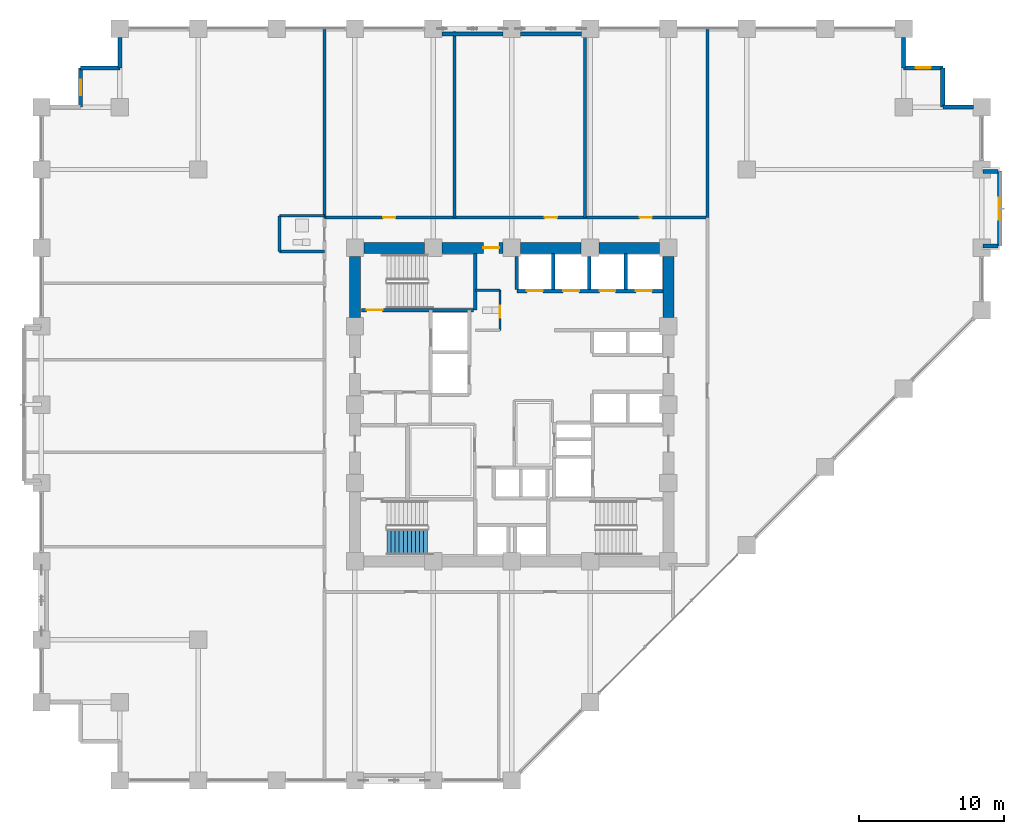
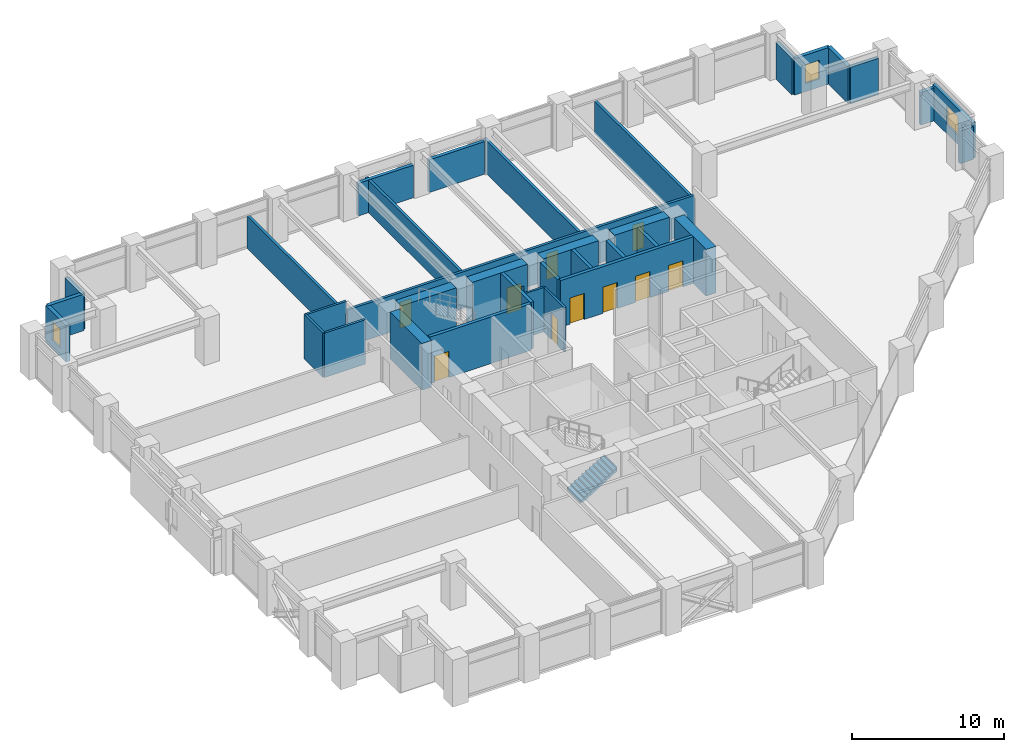
# One storey, part 21 of 26: 35 walls, 10 doors, 3 windows, 1 stair flight, 13 openings, 1 element without a shape of its own.
"""IFC4 building model written with IfcOpenShell, lengths in metres."""

from ifc_helpers import new_model, si_unit, direction, frame, frame_2d, origin, place, context, subcontext, project, spatial, polyline, rectangle, outline, extrude, material, layer, layer_set, type_object, element, fill, aggregate, save


model = new_model("IFC4")

# Units and contexts
model_context = context("Model", 3, precision=1e-05, world=origin(), true_north=direction((0.0, 1.0)))
body_context = subcontext(model_context, "Body", "Model", "MODEL_VIEW")
ifc_project = project(units=[si_unit("LENGTHUNIT", "METRE"), si_unit("AREAUNIT", "SQUARE_METRE"), si_unit("VOLUMEUNIT", "CUBIC_METRE"), si_unit("PLANEANGLEUNIT", "RADIAN"), si_unit("MASSUNIT", "GRAM", prefix="KILO")], contexts=[model_context])

# Site, building, storey
site_placement = place(None, origin())
site = spatial("IfcSite", under=ifc_project, at=site_placement, CompositionType="ELEMENT")
building_placement = place(site_placement, origin())
building = spatial("IfcBuilding", under=site, at=building_placement, Name="Surkhivell Harbour Commons", CompositionType="ELEMENT")
storey_placement = place(building_placement, frame((0.0, 0.0, 60.0)))
storey = spatial("IfcBuildingStorey", under=building, at=storey_placement, Name="L15", CompositionType="ELEMENT", Elevation=60.0)

# Wall
ifc_material_1 = material(Name="Concrete C60/75", Category="concrete")
ifc_layer_1 = layer(ifc_material_1, 0.75)
ifc_layer_set_1 = layer_set([ifc_layer_1], Name="Concrete C60/75")
wall_type_1 = type_object("IfcWallType", Name="WAL-CORE-750", PredefinedType="SHEAR", material=ifc_layer_set_1)
wall_1_placement = place(storey_placement, frame((-10.18994140625, 10.800048828125, 0.0), z_axis=(0.0, 0.0, 1.0), x_axis=(1.0, 0.0, 0.0)))
element("IfcWall", 1, at=wall_1_placement, inside=storey, type_object=wall_type_1, Name="L15 Core Shear Wall North 1", PredefinedType="SHEAR", context=body_context, shape_type="SweptSolid", body=[
    extrude(rectangle(XDim=4.179931640625, YDim=0.75, at=frame_2d((2.08984375, 0.0))), origin(), (0.0, 0.0, 1.0), 3.75),
])

# Wall, opening, door
wall_2_placement = place(storey_placement, frame((-4.7900390625, 10.800048828125, 0.0), z_axis=(0.0, 0.0, 1.0), x_axis=(1.0, 0.0, 0.0)))
wall_2 = element("IfcWall", 2, at=wall_2_placement, inside=storey, type_object=wall_type_1, Name="L15 Core Shear Wall North 2", PredefinedType="SHEAR", context=body_context, shape_type="SweptSolid", body=[
    extrude(rectangle(XDim=4.179931640625, YDim=0.75, at=frame_2d((2.08984375, 0.0))), origin(), (0.0, 0.0, 1.0), 3.75),
])
opening_1_placement = place(wall_2_placement, frame((2.830078125, 0.0, 0.0)))
opening_1 = element("IfcOpeningElement", 3, at=opening_1_placement, cuts=wall_2, Name="Opening ID-2", PredefinedType="OPENING", context=body_context, shape_type="SweptSolid", body=[
    extrude(rectangle(XDim=1.10009765625, YDim=2.10009765625, at=frame_2d((0.550048828125, 1.050048828125))), frame((0.0, 0.385009765625, 0.0), z_axis=(0.0, -1.0, 0.0), x_axis=(1.0, 0.0, 0.0)), (0.0, 0.0, 1.0), 0.77001953125),
])
ifc_material_2 = material(Name="Hardwood-veneered fire-rated door leaf", Category="wood")
door_type_1 = type_object("IfcDoorType", Name="DOR-FD60-1100", OperationType="NOTDEFINED", PredefinedType="DOOR", material=ifc_material_2)
door_1_placement = place(opening_1_placement, origin())
door_1 = element("IfcDoor", 4, at=door_1_placement, inside=storey, type_object=door_type_1, Name="L15 Central Core Lift Hall North Corridor Door", OperationType="SINGLE_SWING_LEFT", OverallHeight=2.10009765625, OverallWidth=1.10009765625, PredefinedType="DOOR", context=body_context, shape_type="SweptSolid", body=[
    extrude(rectangle(XDim=1.10009765625, YDim=2.10009765625, at=frame_2d((0.550048828125, 1.050048828125))), frame((0.0, 0.02490234375, 0.0), z_axis=(0.0, -1.0, 0.0), x_axis=(1.0, 0.0, 0.0)), (0.0, 0.0, 1.0), 0.050048828125),
])
fill(opening_1, door_1)

# Walls
for number, where, z_axis, x_axis, name in (
    (5, (0.610107421875, 10.800048828125, 0.0), (0.0, 0.0, 1.0), (1.0, 0.0, 0.0), "L15 Core Shear Wall North 3"),
    (6, (6.010009765625, 10.800048828125, 0.0), (0.0, 0.0, 1.0), (1.0, 0.0, 0.0), "L15 Core Shear Wall North 4"),
    (7, (-10.800048828125, 6.010009765625, 0.0), (0.0, 0.0, 1.0), (0.0, 1.0, 0.0), "L15 Core Shear Wall West 4"),
    (8, (10.800048828125, 6.010009765625, 0.0), (0.0, 0.0, 1.0), (0.0, 1.0, 0.0), "L15 Core Shear Wall East 4"),
):
    element("IfcWall", number, at=place(storey_placement, frame(where, z_axis=z_axis, x_axis=x_axis)), inside=storey, type_object=wall_type_1, Name=name, PredefinedType="SHEAR", context=body_context, shape_type="SweptSolid", body=[
        extrude(rectangle(XDim=4.179931640625, YDim=0.75, at=frame_2d((2.08984375, 0.0))), origin(), (0.0, 0.0, 1.0), 3.75),
    ])
ifc_material_3 = material(Name="Pale-metal insulated precast concrete C45/55", Category="concrete")
ifc_layer_2 = layer(ifc_material_3, 0.260009765625)
ifc_layer_set_2 = layer_set([ifc_layer_2], Name="Pale-metal insulated precast concrete C45/55")
wall_type_2 = type_object("IfcWallType", Name="WAL-EXT-MTL260", PredefinedType="STANDARD", material=ifc_layer_set_2)
for number, where, z_axis, x_axis, name in (
    (9, (-0.597900390625, 25.5400390625, 0.0), (0.0, 0.0, 1.0), (-1.0, 0.0, 0.0), "L15 Braced-Bay Insulated Spandrel Backing N"),
    (10, (4.802001953125, 25.5400390625, 0.0), (0.0, 0.0, 1.0), (-1.0, 0.0, 0.0), "L15 Braced-Bay Insulated Spandrel Backing N2"),
):
    element("IfcWall", number, at=place(storey_placement, frame(where, z_axis=z_axis, x_axis=x_axis)), inside=storey, type_object=wall_type_2, Name=name, PredefinedType="STANDARD", context=body_context, shape_type="SweptSolid", body=[
        extrude(rectangle(XDim=4.2041015625, YDim=0.260009765625, at=frame_2d((2.10205078125, 0.0))), origin(), (0.0, 0.0, 1.0), 2.623046875),
    ])

# Wall, opening, window
ifc_material_4 = material(Name="Terracotta-clad reinforced concrete C45/55", Category="masonry")
ifc_layer_3 = layer(ifc_material_4, 0.280029296875)
ifc_layer_set_3 = layer_set([ifc_layer_3], Name="Terracotta-clad reinforced concrete C45/55")
wall_type_3 = type_object("IfcWallType", Name="WAL-EXT-TER280", PredefinedType="STANDARD", material=ifc_layer_set_3)
wall_3_placement = place(storey_placement, frame((33.60009765625, 10.919921875, 0.0), z_axis=(0.0, 0.0, 1.0), x_axis=(0.0, 1.0, 0.0)))
wall_3 = element("IfcWall", 11, at=wall_3_placement, inside=storey, type_object=wall_type_3, Name="L15 Coloured Box Front Wall 01", PredefinedType="STANDARD", context=body_context, shape_type="SweptSolid", body=[
    extrude(rectangle(XDim=5.16015625, YDim=0.280029296875, at=frame_2d((2.580078125, 0.0))), origin(), (0.0, 0.0, 1.0), 2.85693359375),
])
opening_2_placement = place(wall_3_placement, frame((1.830078125, 0.0, 0.75)))
opening_2 = element("IfcOpeningElement", 12, at=opening_2_placement, cuts=wall_3, Name="Opening WN-13", PredefinedType="OPENING", context=body_context, shape_type="SweptSolid", body=[
    extrude(rectangle(XDim=1.5, YDim=1.5, at=frame_2d((0.75, 0.75))), frame((0.0, 0.14990234375, 0.0), z_axis=(0.0, -1.0, 0.0), x_axis=(1.0, 0.0, 0.0)), (0.0, 0.0, 1.0), 0.300048828125),
])
ifc_material_5 = material(Name="Thermal-break aluminium frame and double low-E glazing", Category="aluminium")
window_type_1 = type_object("IfcWindowType", Name="WIN-BOX-1500x1500", PartitioningType="SINGLE_PANEL", PredefinedType="WINDOW", material=ifc_material_5)
window_1_placement = place(opening_2_placement, origin())
window_1 = element("IfcWindow", 13, at=window_1_placement, inside=storey, type_object=window_type_1, Name="L15 Coloured Box Square Window 01-1", OverallHeight=1.5, OverallWidth=1.5, PartitioningType="SINGLE_PANEL", PredefinedType="WINDOW", context=body_context, shape_type="SweptSolid", body=[
    extrude(rectangle(XDim=1.5, YDim=1.5, at=frame_2d((0.75, 0.75))), frame((0.0, 0.030029296875, 0.0), z_axis=(0.0, -1.0, 0.0), x_axis=(1.0, 0.0, 0.0)), (0.0, 0.0, 1.0), 0.06005859375),
])
fill(opening_2, window_1)

# Walls
for number, where, z_axis, x_axis, name in (
    (14, (32.47998046875, 10.93994140625, 0.0), (0.0, 0.0, 1.0), (1.0, 0.0, 0.0), "L15 Coloured Box Return Wall 01S"),
    (15, (32.47998046875, 16.06005859375, 0.0), (0.0, 0.0, 1.0), (1.0, 0.0, 0.0), "L15 Coloured Box Return Wall 01N"),
):
    element("IfcWall", number, at=place(storey_placement, frame(where, z_axis=z_axis, x_axis=x_axis)), inside=storey, type_object=wall_type_3, Name=name, PredefinedType="STANDARD", context=body_context, shape_type="SweptSolid", body=[
        extrude(rectangle(XDim=1.0400390625, YDim=0.280029296875, at=frame_2d((0.52001953125, 0.0))), origin(), (0.0, 0.0, 1.0), 2.623046875),
    ])
wall_4_placement = place(storey_placement, frame((31.802001953125, 20.5, 0.0), z_axis=(0.0, 0.0, 1.0), x_axis=(-1.0, 0.0, 0.0)))
element("IfcWall", 16, at=wall_4_placement, inside=storey, type_object=wall_type_3, Name="L15 Serrated Corner Facade Wall 03", PredefinedType="STANDARD", context=body_context, shape_type="SweptSolid", body=[
    extrude(rectangle(XDim=2.10205078125, YDim=0.280029296875, at=frame_2d((1.051025390625, 0.0))), origin(), (0.0, 0.0, 1.0), 2.929931640625),
])
wall_5_placement = place(storey_placement, frame((29.699951171875, 20.5, 0.0), z_axis=(0.0, 0.0, 1.0), x_axis=(0.0, 1.0, 0.0)))
element("IfcWall", 17, at=wall_5_placement, inside=storey, type_object=wall_type_3, Name="L15 Serrated Corner Facade Wall 04", PredefinedType="STANDARD", context=body_context, shape_type="SweptSolid", body=[
    extrude(rectangle(XDim=2.699951171875, YDim=0.280029296875, at=frame_2d((1.35009765625, 0.0))), origin(), (0.0, 0.0, 1.0), 2.929931640625),
])

# Wall, opening, window
wall_6_placement = place(storey_placement, frame((29.699951171875, 23.199951171875, 0.0), z_axis=(0.0, 0.0, 1.0), x_axis=(-1.0, 0.0, 0.0)))
wall_6 = element("IfcWall", 18, at=wall_6_placement, inside=storey, type_object=wall_type_3, Name="L15 Serrated Corner Facade Wall 05", PredefinedType="STANDARD", context=body_context, shape_type="SweptSolid", body=[
    extrude(rectangle(XDim=2.699951171875, YDim=0.280029296875, at=frame_2d((1.35009765625, 0.0))), origin(), (0.0, 0.0, 1.0), 2.929931640625),
])
opening_3_placement = place(wall_6_placement, frame((0.824951171875, 0.0, 0.64990234375)))
opening_3 = element("IfcOpeningElement", 19, at=opening_3_placement, cuts=wall_6, Name="Opening WN-11", PredefinedType="OPENING", context=body_context, shape_type="SweptSolid", body=[
    extrude(rectangle(XDim=1.050048828125, YDim=1.5, at=frame_2d((0.52490234375, 0.75))), frame((0.0, 0.14990234375, 0.0), z_axis=(0.0, -1.0, 0.0), x_axis=(1.0, 0.0, 0.0)), (0.0, 0.0, 1.0), 0.300048828125),
])
window_type_2 = type_object("IfcWindowType", Name="WIN-SER-1050x1500", PartitioningType="SINGLE_PANEL", PredefinedType="WINDOW", material=ifc_material_5)
window_2_placement = place(opening_3_placement, origin())
window_2 = element("IfcWindow", 20, at=window_2_placement, inside=storey, type_object=window_type_2, Name="L15 Serrated Alcove Window 05", OverallHeight=1.5, OverallWidth=1.050048828125, PartitioningType="SINGLE_PANEL", PredefinedType="WINDOW", context=body_context, shape_type="SweptSolid", body=[
    extrude(rectangle(XDim=1.050048828125, YDim=1.5, at=frame_2d((0.52490234375, 0.75))), frame((0.0, 0.030029296875, 0.0), z_axis=(0.0, -1.0, 0.0), x_axis=(1.0, 0.0, 0.0)), (0.0, 0.0, 1.0), 0.06005859375),
])
fill(opening_3, window_2)

# Walls
for number, where, z_axis, x_axis, name in (
    (21, (27.0, 23.199951171875, 0.0), (0.0, 0.0, 1.0), (0.0, 1.0, 0.0), "L15 Serrated Corner Facade Wall 06"),
    (22, (-27.0, 25.302001953125, 0.0), (0.0, 0.0, 1.0), (0.0, -1.0, 0.0), "L15 Serrated Corner Facade Wall 08"),
):
    element("IfcWall", number, at=place(storey_placement, frame(where, z_axis=z_axis, x_axis=x_axis)), inside=storey, type_object=wall_type_3, Name=name, PredefinedType="STANDARD", context=body_context, shape_type="SweptSolid", body=[
        extrude(rectangle(XDim=2.10205078125, YDim=0.280029296875, at=frame_2d((1.051025390625, 0.0))), origin(), (0.0, 0.0, 1.0), 2.929931640625),
    ])
wall_7_placement = place(storey_placement, frame((-27.0, 23.199951171875, 0.0), z_axis=(0.0, 0.0, 1.0), x_axis=(-1.0, 0.0, 0.0)))
element("IfcWall", 23, at=wall_7_placement, inside=storey, type_object=wall_type_3, Name="L15 Serrated Corner Facade Wall 09", PredefinedType="STANDARD", context=body_context, shape_type="SweptSolid", body=[
    extrude(rectangle(XDim=2.699951171875, YDim=0.280029296875, at=frame_2d((1.35009765625, 0.0))), origin(), (0.0, 0.0, 1.0), 2.929931640625),
])

# Wall, opening, window
wall_8_placement = place(storey_placement, frame((-29.699951171875, 23.199951171875, 0.0), z_axis=(0.0, 0.0, 1.0), x_axis=(0.0, -1.0, 0.0)))
wall_8 = element("IfcWall", 24, at=wall_8_placement, inside=storey, type_object=wall_type_3, Name="L15 Serrated Corner Facade Wall 10", PredefinedType="STANDARD", context=body_context, shape_type="SweptSolid", body=[
    extrude(rectangle(XDim=2.699951171875, YDim=0.280029296875, at=frame_2d((1.35009765625, 0.0))), origin(), (0.0, 0.0, 1.0), 2.929931640625),
])
opening_4_placement = place(wall_8_placement, frame((0.824951171875, 0.0, 0.64990234375)))
opening_4 = element("IfcOpeningElement", 25, at=opening_4_placement, cuts=wall_8, Name="Opening WN-11", PredefinedType="OPENING", context=body_context, shape_type="SweptSolid", body=[
    extrude(rectangle(XDim=1.050048828125, YDim=1.5, at=frame_2d((0.52490234375, 0.75))), frame((0.0, 0.14990234375, 0.0), z_axis=(0.0, -1.0, 0.0), x_axis=(1.0, 0.0, 0.0)), (0.0, 0.0, 1.0), 0.300048828125),
])
window_3_placement = place(opening_4_placement, origin())
window_3 = element("IfcWindow", 26, at=window_3_placement, inside=storey, type_object=window_type_2, Name="L15 Serrated Alcove Window 10", OverallHeight=1.5, OverallWidth=1.050048828125, PartitioningType="SINGLE_PANEL", PredefinedType="WINDOW", context=body_context, shape_type="SweptSolid", body=[
    extrude(rectangle(XDim=1.050048828125, YDim=1.5, at=frame_2d((0.52490234375, 0.75))), frame((0.0, 0.030029296875, 0.0), z_axis=(0.0, -1.0, 0.0), x_axis=(1.0, 0.0, 0.0)), (0.0, 0.0, 1.0), 0.06005859375),
])
fill(opening_4, window_3)

# Wall, opening, door
ifc_material_6 = material(Name="Twin-stud acoustic fireboard partition", Category="other")
ifc_layer_4 = layer(ifc_material_6, 0.14990234375)
ifc_layer_set_4 = layer_set([ifc_layer_4], Name="Twin-stud acoustic fireboard partition")
wall_type_4 = type_object("IfcWallType", Name="WAL-INT-150", PredefinedType="PARTITIONING", material=ifc_layer_set_4)
wall_9_placement = place(storey_placement, frame((-0.800048828125, 5.1201171875, 0.0), z_axis=(0.0, 0.0, 1.0), x_axis=(0.0, 1.0, 0.0)))
wall_9 = element("IfcWall", 27, at=wall_9_placement, inside=storey, type_object=wall_type_4, Name="L15 Core Accessible WC East Wall", PredefinedType="PARTITIONING", context=body_context, shape_type="SweptSolid", body=[
    extrude(rectangle(XDim=2.759765625, YDim=0.14990234375, at=frame_2d((1.3798828125, 0.0))), origin(), (0.0, 0.0, 1.0), 3.570068359375),
])
opening_5_placement = place(wall_9_placement, frame((0.85009765625, 0.0, 0.0)))
opening_5 = element("IfcOpeningElement", 28, at=opening_5_placement, cuts=wall_9, Name="Opening ID-6", PredefinedType="OPENING", context=body_context, shape_type="SweptSolid", body=[
    extrude(rectangle(XDim=0.85009765625, YDim=2.10009765625, at=frame_2d((0.425048828125, 1.050048828125))), frame((0.0, 0.0849609375, 0.0), z_axis=(0.0, -1.0, 0.0), x_axis=(1.0, 0.0, 0.0)), (0.0, 0.0, 1.0), 0.169921875),
])
door_type_2 = type_object("IfcDoorType", Name="DOR-FD30-850", OperationType="NOTDEFINED", PredefinedType="DOOR", material=ifc_material_2)
door_2_placement = place(opening_5_placement, origin())
door_2 = element("IfcDoor", 29, at=door_2_placement, inside=storey, type_object=door_type_2, Name="L15 Floor Accessible WC Door", OperationType="SINGLE_SWING_LEFT", OverallHeight=2.10009765625, OverallWidth=0.85009765625, PredefinedType="DOOR", context=body_context, shape_type="SweptSolid", body=[
    extrude(rectangle(XDim=0.85009765625, YDim=2.10009765625, at=frame_2d((0.425048828125, 1.050048828125))), frame((0.0, 0.02490234375, 0.0), z_axis=(0.0, -1.0, 0.0), x_axis=(1.0, 0.0, 0.0)), (0.0, 0.0, 1.0), 0.050048828125),
])
fill(opening_5, door_2)

# Walls
wall_10_placement = place(storey_placement, frame((-2.47998046875, 7.8798828125, 0.0), z_axis=(0.0, 0.0, 1.0), x_axis=(1.0, 0.0, 0.0)))
element("IfcWall", 30, at=wall_10_placement, inside=storey, type_object=wall_type_4, Name="L15 Core Accessible WC North Wall", PredefinedType="PARTITIONING", context=body_context, shape_type="SweptSolid", body=[
    extrude(rectangle(XDim=1.679931640625, YDim=0.14990234375, at=frame_2d((0.83984375, 0.0))), origin(), (0.0, 0.0, 1.0), 3.570068359375),
])
ifc_material_7 = material(Name="High-density acoustic blockwork fire partition", Category="masonry")
ifc_layer_5 = layer(ifc_material_7, 0.175048828125)
ifc_layer_set_5 = layer_set([ifc_layer_5], Name="High-density acoustic blockwork fire partition")
wall_type_5 = type_object("IfcWallType", Name="WAL-INT-175", PredefinedType="PARTITIONING", material=ifc_layer_set_5)
wall_11_placement = place(storey_placement, frame((-16.0, 10.550048828125, 0.0), z_axis=(0.0, 0.0, 1.0), x_axis=(0.0, 1.0, 0.0)))
element("IfcWall", 31, at=wall_11_placement, inside=storey, type_object=wall_type_5, Name="L15 West Partition BTHB", PredefinedType="PARTITIONING", context=body_context, shape_type="SweptSolid", body=[
    extrude(rectangle(XDim=2.449951171875, YDim=0.175048828125, at=frame_2d((1.22509765625, 0.0))), origin(), (0.0, 0.0, 1.0), 3.570068359375),
])
for number, where, z_axis, x_axis, name in (
    (32, (-16.0, 13.0, 0.0), (0.0, 0.0, 1.0), (1.0, 0.0, 0.0), "L15 West Partition BTHN"),
    (33, (-16.0, 10.550048828125, 0.0), (0.0, 0.0, 1.0), (1.0, 0.0, 0.0), "L15 West Partition BTHS"),
):
    element("IfcWall", number, at=place(storey_placement, frame(where, z_axis=z_axis, x_axis=x_axis)), inside=storey, type_object=wall_type_5, Name=name, PredefinedType="PARTITIONING", context=body_context, shape_type="SweptSolid", body=[
        extrude(rectangle(XDim=3.10009765625, YDim=0.175048828125, at=frame_2d((1.550048828125, 0.0))), origin(), (0.0, 0.0, 1.0), 3.570068359375),
    ])
ifc_material_8 = material(Name="Autoclaved aerated concrete blockwork and fire plaster", Category="masonry")
ifc_layer_6 = layer(ifc_material_8, 0.199951171875)
ifc_layer_set_6 = layer_set([ifc_layer_6], Name="Autoclaved aerated concrete blockwork and fire plaster")
wall_type_6 = type_object("IfcWallType", Name="WAL-INT-200", PredefinedType="PARTITIONING", material=ifc_layer_set_6)
for number, where, z_axis, x_axis, name in (
    (34, (13.47998046875, 12.89990234375, 0.0), (0.0, 0.0, 1.0), (0.0, 1.0, 0.0), "L15 North-East Wing Corner Divider"),
    (35, (-12.89990234375, 12.89990234375, 0.0), (0.0, 0.0, 1.0), (0.0, 1.0, 0.0), "L15 North-West Wing Corner Divider"),
):
    element("IfcWall", number, at=place(storey_placement, frame(where, z_axis=z_axis, x_axis=x_axis)), inside=storey, type_object=wall_type_6, Name=name, PredefinedType="PARTITIONING", context=body_context, shape_type="SweptSolid", body=[
        extrude(rectangle(XDim=12.940185546875, YDim=0.199951171875, at=frame_2d((6.47021484375, 0.0))), origin(), (0.0, 0.0, 1.0), 2.623046875),
    ])

# Wall, openings, doors
wall_12_placement = place(storey_placement, frame((-12.89990234375, 12.89990234375, 0.0), z_axis=(0.0, 0.0, 1.0), x_axis=(1.0, 0.0, 0.0)))
wall_12 = element("IfcWall", 36, at=wall_12_placement, inside=storey, type_object=wall_type_6, Name="L15 Corridor North Wall", PredefinedType="PARTITIONING", context=body_context, shape_type="SweptSolid", body=[
    extrude(rectangle(XDim=26.3798828125, YDim=0.199951171875, at=frame_2d((13.18994140625, 0.0))), origin(), (0.0, 0.0, 1.0), 2.929931640625),
])
opening_6_placement = place(wall_12_placement, frame((4.034912109375, 0.0, 0.0)))
opening_6 = element("IfcOpeningElement", 37, at=opening_6_placement, cuts=wall_12, Name="Opening ID-6", PredefinedType="OPENING", context=body_context, shape_type="SweptSolid", body=[
    extrude(rectangle(XDim=0.85009765625, YDim=2.10009765625, at=frame_2d((0.425048828125, 1.050048828125))), frame((0.0, 0.10986328125, 0.0), z_axis=(0.0, -1.0, 0.0), x_axis=(1.0, 0.0, 0.0)), (0.0, 0.0, 1.0), 0.219970703125),
])
opening_7_placement = place(wall_12_placement, frame((15.17529296875, 0.0, 0.0)))
opening_7 = element("IfcOpeningElement", 38, at=opening_7_placement, cuts=wall_12, Name="Opening ID-6", PredefinedType="OPENING", context=body_context, shape_type="SweptSolid", body=[
    extrude(rectangle(XDim=0.85009765625, YDim=2.10009765625, at=frame_2d((0.425048828125, 1.050048828125))), frame((0.0, 0.10986328125, 0.0), z_axis=(0.0, -1.0, 0.0), x_axis=(1.0, 0.0, 0.0)), (0.0, 0.0, 1.0), 0.219970703125),
])
opening_8_placement = place(wall_12_placement, frame((21.7099609375, 0.0, 0.0)))
opening_8 = element("IfcOpeningElement", 39, at=opening_8_placement, cuts=wall_12, Name="Opening ID-6", PredefinedType="OPENING", context=body_context, shape_type="SweptSolid", body=[
    extrude(rectangle(XDim=0.85009765625, YDim=2.10009765625, at=frame_2d((0.425048828125, 1.050048828125))), frame((0.0, 0.10986328125, 0.0), z_axis=(0.0, -1.0, 0.0), x_axis=(1.0, 0.0, 0.0)), (0.0, 0.0, 1.0), 0.219970703125),
])
door_3_placement = place(opening_6_placement, origin())
door_3 = element("IfcDoor", 40, at=door_3_placement, inside=storey, type_object=door_type_2, Name="L15 Academic Seminar Room 1 North Door", OperationType="SINGLE_SWING_LEFT", OverallHeight=2.10009765625, OverallWidth=0.85009765625, PredefinedType="DOOR", context=body_context, shape_type="SweptSolid", body=[
    extrude(rectangle(XDim=0.85009765625, YDim=2.10009765625, at=frame_2d((0.425048828125, 1.050048828125))), frame((0.0, 0.02490234375, 0.0), z_axis=(0.0, -1.0, 0.0), x_axis=(1.0, 0.0, 0.0)), (0.0, 0.0, 1.0), 0.050048828125),
])
fill(opening_6, door_3)
door_4_placement = place(opening_7_placement, origin())
door_4 = element("IfcDoor", 41, at=door_4_placement, inside=storey, type_object=door_type_2, Name="L15 Academic Seminar Room 2 North Door", OperationType="SINGLE_SWING_RIGHT", OverallHeight=2.10009765625, OverallWidth=0.85009765625, PredefinedType="DOOR", context=body_context, shape_type="SweptSolid", body=[
    extrude(rectangle(XDim=0.85009765625, YDim=2.10009765625, at=frame_2d((0.425048828125, 1.050048828125))), frame((0.0, 0.02490234375, 0.0), z_axis=(0.0, -1.0, 0.0), x_axis=(1.0, 0.0, 0.0)), (0.0, 0.0, 1.0), 0.050048828125),
])
fill(opening_7, door_4)
door_5_placement = place(opening_8_placement, origin())
door_5 = element("IfcDoor", 42, at=door_5_placement, inside=storey, type_object=door_type_2, Name="L15 Academic Seminar Room 3 North Door", OperationType="SINGLE_SWING_LEFT", OverallHeight=2.10009765625, OverallWidth=0.85009765625, PredefinedType="DOOR", context=body_context, shape_type="SweptSolid", body=[
    extrude(rectangle(XDim=0.85009765625, YDim=2.10009765625, at=frame_2d((0.425048828125, 1.050048828125))), frame((0.0, 0.02490234375, 0.0), z_axis=(0.0, -1.0, 0.0), x_axis=(1.0, 0.0, 0.0)), (0.0, 0.0, 1.0), 0.050048828125),
])
fill(opening_8, door_5)

# Walls
for number, where, z_axis, x_axis, name in (
    (43, (-3.929931640625, 12.89990234375, 0.0), (0.0, 0.0, 1.0), (0.0, 1.0, 0.0), "L15 North Partition P1"),
    (44, (5.0400390625, 12.89990234375, 0.0), (0.0, 0.0, 1.0), (0.0, 1.0, 0.0), "L15 North Partition P2"),
):
    element("IfcWall", number, at=place(storey_placement, frame(where, z_axis=z_axis, x_axis=x_axis)), inside=storey, type_object=wall_type_6, Name=name, PredefinedType="PARTITIONING", context=body_context, shape_type="SweptSolid", body=[
        extrude(rectangle(XDim=12.940185546875, YDim=0.199951171875, at=frame_2d((6.47021484375, 0.0))), origin(), (0.0, 0.0, 1.0), 2.623046875),
    ])
ifc_material_9 = material(Name="Concrete C50/60", Category="concrete")
ifc_layer_7 = layer(ifc_material_9, 0.25)
ifc_layer_set_7 = layer_set([ifc_layer_7], Name="Concrete C50/60")
wall_type_7 = type_object("IfcWallType", Name="WAL-SHAFT-250", PredefinedType="SHEAR", material=ifc_layer_set_7)
wall_13_placement = place(storey_placement, frame((2.85009765625, 7.93994140625, 0.0), z_axis=(0.0, 0.0, 1.0), x_axis=(0.0, 1.0, 0.0)))
element("IfcWall", 45, at=wall_13_placement, inside=storey, type_object=wall_type_7, Name="L15 Low-Rise Hoistway Wall", PredefinedType="SHEAR", context=body_context, shape_type="SweptSolid", body=[
    extrude(rectangle(XDim=2.485107421875, YDim=0.25, at=frame_2d((1.24267578125, 0.0))), origin(), (0.0, 0.0, 1.0), 3.75),
])
for number, where, z_axis, x_axis, name in (
    (46, (0.35009765625, 7.93994140625, 0.0), (0.0, 0.0, 1.0), (0.0, 1.0, 0.0), "L15 Low-Rise Hoistway Wall"),
    (47, (5.35009765625, 7.93994140625, 0.0), (0.0, 0.0, 1.0), (0.0, 1.0, 0.0), "L15 Low-Rise Hoistway Wall"),
):
    element("IfcWall", number, at=place(storey_placement, frame(where, z_axis=z_axis, x_axis=x_axis)), inside=storey, type_object=wall_type_7, Name=name, PredefinedType="SHEAR", context=body_context, shape_type="SweptSolid", body=[
        extrude(rectangle(XDim=2.260009765625, YDim=0.25, at=frame_2d((1.1298828125, 0.0))), origin(), (0.0, 0.0, 1.0), 3.75),
    ])
wall_14_placement = place(storey_placement, frame((7.85009765625, 7.93994140625, 0.0), z_axis=(0.0, 0.0, 1.0), x_axis=(0.0, 1.0, 0.0)))
element("IfcWall", 48, at=wall_14_placement, inside=storey, type_object=wall_type_7, Name="L15 Low-Rise Hoistway Wall", PredefinedType="SHEAR", context=body_context, shape_type="SweptSolid", body=[
    extrude(rectangle(XDim=2.485107421875, YDim=0.25, at=frame_2d((1.24267578125, 0.0))), origin(), (0.0, 0.0, 1.0), 3.75),
])

# Wall, openings, doors
wall_15_placement = place(storey_placement, frame((0.35009765625, 7.820068359375, 0.0), z_axis=(0.0, 0.0, 1.0), x_axis=(1.0, 0.0, 0.0)))
wall_15 = element("IfcWall", 49, at=wall_15_placement, inside=storey, type_object=wall_type_7, Name="L15 Low-Rise Lift Front Shaft Wall", PredefinedType="SHEAR", context=body_context, shape_type="SweptSolid", body=[
    extrude(rectangle(XDim=10.074951171875, YDim=0.25, at=frame_2d((5.03759765625, 0.0))), origin(), (0.0, 0.0, 1.0), 3.75),
])
opening_9_placement = place(wall_15_placement, frame((0.699951171875, 0.0, 0.0)))
opening_9 = element("IfcOpeningElement", 50, at=opening_9_placement, cuts=wall_15, Name="Opening LD-1", PredefinedType="OPENING", context=body_context, shape_type="SweptSolid", body=[
    extrude(rectangle(XDim=1.10009765625, YDim=2.10009765625, at=frame_2d((0.550048828125, 1.050048828125))), frame((0.0, 0.135009765625, 0.0), z_axis=(0.0, -1.0, 0.0), x_axis=(1.0, 0.0, 0.0)), (0.0, 0.0, 1.0), 0.27001953125),
])
opening_10_placement = place(wall_15_placement, frame((3.199951171875, 0.0, 0.0)))
opening_10 = element("IfcOpeningElement", 51, at=opening_10_placement, cuts=wall_15, Name="Opening LD-1", PredefinedType="OPENING", context=body_context, shape_type="SweptSolid", body=[
    extrude(rectangle(XDim=1.10009765625, YDim=2.10009765625, at=frame_2d((0.550048828125, 1.050048828125))), frame((0.0, 0.135009765625, 0.0), z_axis=(0.0, -1.0, 0.0), x_axis=(1.0, 0.0, 0.0)), (0.0, 0.0, 1.0), 0.27001953125),
])
opening_11_placement = place(wall_15_placement, frame((5.699951171875, 0.0, 0.0)))
opening_11 = element("IfcOpeningElement", 52, at=opening_11_placement, cuts=wall_15, Name="Opening LD-1", PredefinedType="OPENING", context=body_context, shape_type="SweptSolid", body=[
    extrude(rectangle(XDim=1.10009765625, YDim=2.10009765625, at=frame_2d((0.550048828125, 1.050048828125))), frame((0.0, 0.135009765625, 0.0), z_axis=(0.0, -1.0, 0.0), x_axis=(1.0, 0.0, 0.0)), (0.0, 0.0, 1.0), 0.27001953125),
])
opening_12_placement = place(wall_15_placement, frame((8.199951171875, 0.0, 0.0)))
opening_12 = element("IfcOpeningElement", 53, at=opening_12_placement, cuts=wall_15, Name="Opening LD-1", PredefinedType="OPENING", context=body_context, shape_type="SweptSolid", body=[
    extrude(rectangle(XDim=1.10009765625, YDim=2.10009765625, at=frame_2d((0.550048828125, 1.050048828125))), frame((0.0, 0.135009765625, 0.0), z_axis=(0.0, -1.0, 0.0), x_axis=(1.0, 0.0, 0.0)), (0.0, 0.0, 1.0), 0.27001953125),
])
ifc_material_10 = material(Name="Brushed stainless steel S355", Category="steel")
door_type_3 = type_object("IfcDoorType", Name="DOR-LD-1100", OperationType="SLIDING_TO_LEFT", PredefinedType="DOOR", material=ifc_material_10)
door_6_placement = place(opening_9_placement, origin())
door_6 = element("IfcDoor", 54, at=door_6_placement, inside=storey, type_object=door_type_3, Name="L15 Lift Landing Door LD-PL1", OperationType="SLIDING_TO_LEFT", OverallHeight=2.10009765625, OverallWidth=1.10009765625, PredefinedType="DOOR", context=body_context, shape_type="SweptSolid", body=[
    extrude(rectangle(XDim=1.10009765625, YDim=2.10009765625, at=frame_2d((0.550048828125, 1.050048828125))), frame((0.0, 0.02490234375, 0.0), z_axis=(0.0, -1.0, 0.0), x_axis=(1.0, 0.0, 0.0)), (0.0, 0.0, 1.0), 0.050048828125),
])
fill(opening_9, door_6)
door_7_placement = place(opening_10_placement, origin())
door_7 = element("IfcDoor", 55, at=door_7_placement, inside=storey, type_object=door_type_3, Name="L15 Lift Landing Door LD-PL2", OperationType="SLIDING_TO_LEFT", OverallHeight=2.10009765625, OverallWidth=1.10009765625, PredefinedType="DOOR", context=body_context, shape_type="SweptSolid", body=[
    extrude(rectangle(XDim=1.10009765625, YDim=2.10009765625, at=frame_2d((0.550048828125, 1.050048828125))), frame((0.0, 0.02490234375, 0.0), z_axis=(0.0, -1.0, 0.0), x_axis=(1.0, 0.0, 0.0)), (0.0, 0.0, 1.0), 0.050048828125),
])
fill(opening_10, door_7)
door_8_placement = place(opening_11_placement, origin())
door_8 = element("IfcDoor", 56, at=door_8_placement, inside=storey, type_object=door_type_3, Name="L15 Lift Landing Door LD-PL3", OperationType="SLIDING_TO_LEFT", OverallHeight=2.10009765625, OverallWidth=1.10009765625, PredefinedType="DOOR", context=body_context, shape_type="SweptSolid", body=[
    extrude(rectangle(XDim=1.10009765625, YDim=2.10009765625, at=frame_2d((0.550048828125, 1.050048828125))), frame((0.0, 0.02490234375, 0.0), z_axis=(0.0, -1.0, 0.0), x_axis=(1.0, 0.0, 0.0)), (0.0, 0.0, 1.0), 0.050048828125),
])
fill(opening_11, door_8)
door_9_placement = place(opening_12_placement, origin())
door_9 = element("IfcDoor", 57, at=door_9_placement, inside=storey, type_object=door_type_3, Name="L15 Lift Landing Door LD-PL4", OperationType="SLIDING_TO_LEFT", OverallHeight=2.10009765625, OverallWidth=1.10009765625, PredefinedType="DOOR", context=body_context, shape_type="SweptSolid", body=[
    extrude(rectangle(XDim=1.10009765625, YDim=2.10009765625, at=frame_2d((0.550048828125, 1.050048828125))), frame((0.0, 0.02490234375, 0.0), z_axis=(0.0, -1.0, 0.0), x_axis=(1.0, 0.0, 0.0)), (0.0, 0.0, 1.0), 0.050048828125),
])
fill(opening_12, door_9)

# Wall
wall_16_placement = place(storey_placement, frame((-2.510009765625, 6.510009765625, 0.0), z_axis=(0.0, 0.0, 1.0), x_axis=(0.0, 1.0, 0.0)))
element("IfcWall", 58, at=wall_16_placement, inside=storey, type_object=wall_type_7, Name="L15 Stair ST1 East Shear Wall", PredefinedType="SHEAR", context=body_context, shape_type="SweptSolid", body=[
    extrude(rectangle(XDim=3.9150390625, YDim=0.25, at=frame_2d((1.95751953125, 0.0))), origin(), (0.0, 0.0, 1.0), 3.75),
])

# Wall, opening, door
wall_17_placement = place(storey_placement, frame((-10.340087890625, 6.510009765625, 0.0), z_axis=(0.0, 0.0, 1.0), x_axis=(1.0, 0.0, 0.0)))
wall_17 = element("IfcWall", 59, at=wall_17_placement, inside=storey, type_object=wall_type_7, Name="L15 Stair ST1 South Shear Wall", PredefinedType="SHEAR", context=body_context, shape_type="SweptSolid", body=[
    extrude(rectangle(XDim=7.7001953125, YDim=0.25, at=frame_2d((3.85009765625, 0.0))), origin(), (0.0, 0.0, 1.0), 3.75),
])
opening_13_placement = place(wall_17_placement, frame((0.35009765625, 0.0, 0.0)))
opening_13 = element("IfcOpeningElement", 60, at=opening_13_placement, cuts=wall_17, Name="Opening ID-2", PredefinedType="OPENING", context=body_context, shape_type="SweptSolid", body=[
    extrude(rectangle(XDim=1.10009765625, YDim=2.10009765625, at=frame_2d((0.550048828125, 1.050048828125))), frame((0.0, 0.135009765625, 0.0), z_axis=(0.0, -1.0, 0.0), x_axis=(1.0, 0.0, 0.0)), (0.0, 0.0, 1.0), 0.27001953125),
])
door_10_placement = place(opening_13_placement, origin())
door_10 = element("IfcDoor", 61, at=door_10_placement, inside=storey, type_object=door_type_1, Name="L15 Stair ST1 Exit Door", OperationType="SINGLE_SWING_LEFT", OverallHeight=2.10009765625, OverallWidth=1.10009765625, PredefinedType="DOOR", context=body_context, shape_type="SweptSolid", body=[
    extrude(rectangle(XDim=1.10009765625, YDim=2.10009765625, at=frame_2d((0.550048828125, 1.050048828125))), frame((0.0, 0.02490234375, 0.0), z_axis=(0.0, -1.0, 0.0), x_axis=(1.0, 0.0, 0.0)), (0.0, 0.0, 1.0), 0.050048828125),
])
fill(opening_13, door_10)

# Stair, stair flight
ifc_material_11 = material(Name="Precast concrete C45/55", Category="concrete")
stair_type = type_object("IfcStairType", Name="STR-DL-375", PredefinedType="HALF_TURN_STAIR", material=ifc_material_11)
stair_placement = place(storey_placement, origin())
stair = element("IfcStair", 62, at=stair_placement, inside=storey, type_object=stair_type, Name="L15 Core Exit Stair ST3", PredefinedType="HALF_TURN_STAIR")
stair_flight_type = type_object("IfcStairFlightType", Name="STF-DL-375", PredefinedType="STRAIGHT", material=ifc_material_11)
stair_flight_placement = place(storey_placement, frame((-8.590087890625, -9.465087890625, 0.0), z_axis=(0.0, 0.0, 1.0), x_axis=(1.0, 0.0, 0.0)))
stair_flight = element("IfcStairFlight", 63, at=stair_flight_placement, type_object=stair_flight_type, Name="ST3 flight 1", NumberOfRisers=11, NumberOfTreads=10, PredefinedType="STRAIGHT", RiserHeight=0.170454545, TreadLength=0.28, context=body_context, shape_type="SweptSolid", body=[
    extrude(outline(polyline([(-0.0029296875, -0.034912109375), (-0.0029296875, 0.0), (0.0, 0.0), (0.0, 0.17041015625), (0.280029296875, 0.17041015625), (0.280029296875, 0.3408203125), (0.56005859375, 0.3408203125), (0.56005859375, 0.511474609375), (0.840087890625, 0.511474609375), (0.840087890625, 0.681884765625), (1.1201171875, 0.681884765625), (1.1201171875, 0.852294921875), (1.39990234375, 0.852294921875), (1.39990234375, 1.022705078125), (1.679931640625, 1.022705078125), (1.679931640625, 1.193115234375), (1.9599609375, 1.193115234375), (1.9599609375, 1.363525390625), (2.239990234375, 1.363525390625), (2.239990234375, 1.5341796875), (2.52001953125, 1.5341796875), (2.52001953125, 1.70458984375), (2.800048828125, 1.70458984375), (2.800048828125, 1.875), (2.802978515625, 1.875), (2.802978515625, 1.529052734375), (0.288330078125, -0.034912109375), (-0.0029296875, -0.034912109375)])), frame((0.0, 0.875, 0.0), z_axis=(0.0, -1.0, 0.0), x_axis=(1.0, 0.0, 0.0)), (0.0, 0.0, 1.0), 1.75),
])
aggregate(stair, [stair_flight])

save(model, "model.ifc")
